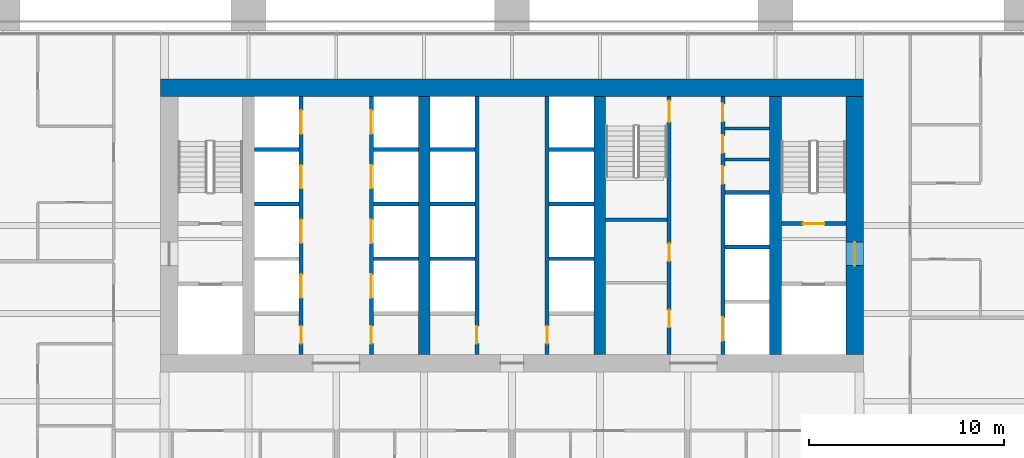
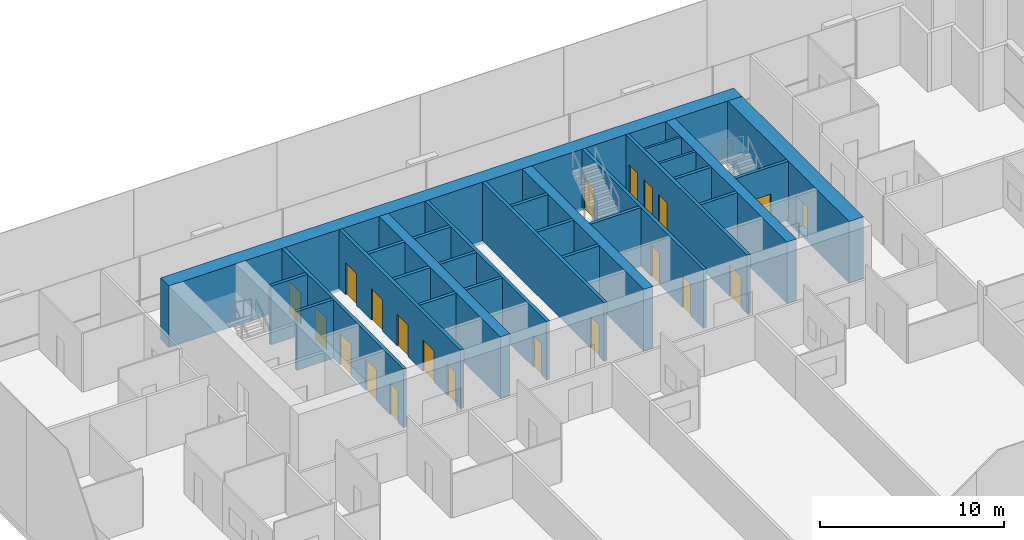
# One storey, part 14 of 18: 28 walls, 21 doors, 21 openings.
"""IFC4 building model written with IfcOpenShell, lengths in metres."""

from ifc_helpers import new_model, si_unit, direction, frame, frame_2d, origin, place, context, subcontext, project, spatial, rectangle, extrude, material, layer, layer_set, type_object, element, fill, save


model = new_model("IFC4")

# Units and contexts
model_context = context("Model", 3, precision=1e-05, world=origin(), true_north=direction((0.0, 1.0)))
body_context = subcontext(model_context, "Body", "Model", "MODEL_VIEW")
ifc_project = project(units=[si_unit("LENGTHUNIT", "METRE"), si_unit("AREAUNIT", "SQUARE_METRE"), si_unit("VOLUMEUNIT", "CUBIC_METRE"), si_unit("PLANEANGLEUNIT", "RADIAN"), si_unit("MASSUNIT", "GRAM", prefix="KILO")], contexts=[model_context])

# Site, building, storey
site_placement = place(None, origin())
site = spatial("IfcSite", under=ifc_project, at=site_placement, CompositionType="ELEMENT")
building_placement = place(site_placement, origin())
building = spatial("IfcBuilding", under=site, at=building_placement, Name="Rattan Terrace Tower", CompositionType="ELEMENT")
storey_placement = place(building_placement, frame((0.0, 0.0, 32.39990234375)))
storey = spatial("IfcBuildingStorey", under=building, at=storey_placement, Name="L06", CompositionType="ELEMENT", Elevation=32.39990234375)

# Walls
ifc_material_1 = material(Name="Gypsum board partition")
ifc_layer_1 = layer(ifc_material_1, 0.14990234375)
ifc_layer_set_1 = layer_set([ifc_layer_1], Name="Core partition 150")
wall_type_1 = type_object("IfcWallType", Name="Core partition 150", PredefinedType="PARTITIONING", material=ifc_layer_set_1)
for number, where, z_axis, x_axis, name in (
    (1, (10.89990234375, 3.384033203125, 0.0), (0.0, 0.0, 1.0), (1.0, 0.0, 0.0), "Riser room wall"),
    (2, (10.89990234375, 4.968017578125, 0.0), (0.0, 0.0, 1.0), (1.0, 0.0, 0.0), "Riser room wall"),
):
    element("IfcWall", number, at=place(storey_placement, frame(where, z_axis=z_axis, x_axis=x_axis)), inside=storey, type_object=wall_type_1, Name=name, PredefinedType="PARTITIONING", context=body_context, shape_type="SweptSolid", body=[
        extrude(rectangle(XDim=2.300048828125, YDim=0.14990234375, at=frame_2d((1.14990234375, 0.0))), origin(), (0.0, 0.0, 1.0), 3.900146484375),
    ])

# Wall, opening, door
ifc_material_2 = material(Name="Gypsum board partition")
ifc_layer_2 = layer(ifc_material_2, 0.199951171875)
ifc_layer_set_2 = layer_set([ifc_layer_2], Name="Core partition 200")
wall_type_2 = type_object("IfcWallType", Name="Core partition 200", PredefinedType="PARTITIONING", material=ifc_layer_set_2)
wall_1_placement = place(storey_placement, frame((13.800048828125, 0.10009765625, 0.0), z_axis=(0.0, 0.0, 1.0), x_axis=(1.0, 0.0, 0.0)))
wall_1 = element("IfcWall", 3, at=wall_1_placement, inside=storey, type_object=wall_type_2, Name="Stair enclosure wall", PredefinedType="PARTITIONING", context=body_context, shape_type="SweptSolid", body=[
    extrude(rectangle(XDim=3.300048828125, YDim=0.199951171875, at=frame_2d((1.64990234375, 0.0))), origin(), (0.0, 0.0, 1.0), 3.900146484375),
])
opening_1_placement = place(wall_1_placement, frame((1.10009765625, 0.0, 0.0)))
opening_1 = element("IfcOpeningElement", 4, at=opening_1_placement, cuts=wall_1, Name="Opening L06-D004", PredefinedType="OPENING", context=body_context, shape_type="SweptSolid", body=[
    extrude(rectangle(XDim=1.10009765625, YDim=2.10009765625, at=frame_2d((0.550048828125, 1.050048828125))), frame((0.0, 0.110595703125, 0.0), z_axis=(0.0, -1.0, 0.0), x_axis=(1.0, 0.0, 0.0)), (0.0, 0.0, 1.0), 0.220947265625),
])
ifc_material_3 = material(Name="Hollow-metal fire door leaf")
door_type_1 = type_object("IfcDoorType", Name="Core stair door 1100", OperationType="NOTDEFINED", PredefinedType="DOOR", material=ifc_material_3)
door_1_placement = place(opening_1_placement, origin())
door_1 = element("IfcDoor", 5, at=door_1_placement, inside=storey, type_object=door_type_1, Name="Door L06-D004", OperationType="SINGLE_SWING_LEFT", OverallHeight=2.10009765625, OverallWidth=1.10009765625, PredefinedType="DOOR", context=body_context, shape_type="SweptSolid", body=[
    extrude(rectangle(XDim=1.10009765625, YDim=2.10009765625, at=frame_2d((0.550048828125, 1.050048828125))), frame((0.0, 0.02490234375, 0.0), z_axis=(0.0, -1.0, 0.0), x_axis=(1.0, 0.0, 0.0)), (0.0, 0.0, 1.0), 0.050048828125),
])
fill(opening_1, door_1)

# Wall, openings, doors
wall_2_placement = place(storey_placement, frame((8.050048828125, -6.60009765625, 0.0), z_axis=(0.0, 0.0, 1.0), x_axis=(0.0, 1.0, 0.0)))
wall_2 = element("IfcWall", 6, at=wall_2_placement, inside=storey, type_object=wall_type_2, Name="Lobby wall west", PredefinedType="PARTITIONING", context=body_context, shape_type="SweptSolid", body=[
    extrude(rectangle(XDim=13.2001953125, YDim=0.199951171875, at=frame_2d((6.60009765625, 0.0))), origin(), (0.0, 0.0, 1.0), 3.900146484375),
])
opening_2_placement = place(wall_2_placement, frame((1.385986328125, 0.0, 0.0)))
opening_2 = element("IfcOpeningElement", 7, at=opening_2_placement, cuts=wall_2, Name="Opening L06-D011", PredefinedType="OPENING", context=body_context, shape_type="SweptSolid", body=[
    extrude(rectangle(XDim=0.89990234375, YDim=2.10009765625, at=frame_2d((0.449951171875, 1.050048828125))), frame((0.0, 0.110595703125, 0.0), z_axis=(0.0, -1.0, 0.0), x_axis=(1.0, 0.0, 0.0)), (0.0, 0.0, 1.0), 0.220947265625),
])
opening_3_placement = place(wall_2_placement, frame((4.785888671875, 0.0, 0.0)))
opening_3 = element("IfcOpeningElement", 8, at=opening_3_placement, cuts=wall_2, Name="Opening L06-D012", PredefinedType="OPENING", context=body_context, shape_type="SweptSolid", body=[
    extrude(rectangle(XDim=0.89990234375, YDim=2.10009765625, at=frame_2d((0.449951171875, 1.050048828125))), frame((0.0, 0.110595703125, 0.0), z_axis=(0.0, -1.0, 0.0), x_axis=(1.0, 0.0, 0.0)), (0.0, 0.0, 1.0), 0.220947265625),
])
opening_4_placement = place(wall_2_placement, frame((11.89990234375, 0.0, 0.0)))
opening_4 = element("IfcOpeningElement", 9, at=opening_4_placement, cuts=wall_2, Name="Opening L06-D013", PredefinedType="OPENING", context=body_context, shape_type="SweptSolid", body=[
    extrude(rectangle(XDim=1.10009765625, YDim=2.10009765625, at=frame_2d((0.550048828125, 1.050048828125))), frame((0.0, 0.110595703125, 0.0), z_axis=(0.0, -1.0, 0.0), x_axis=(1.0, 0.0, 0.0)), (0.0, 0.0, 1.0), 0.220947265625),
])
door_2_placement = place(opening_4_placement, origin())
door_2 = element("IfcDoor", 10, at=door_2_placement, inside=storey, type_object=door_type_1, Name="Door L06-D013", OperationType="SINGLE_SWING_LEFT", OverallHeight=2.10009765625, OverallWidth=1.10009765625, PredefinedType="DOOR", context=body_context, shape_type="SweptSolid", body=[
    extrude(rectangle(XDim=1.10009765625, YDim=2.10009765625, at=frame_2d((0.550048828125, 1.050048828125))), frame((0.0, 0.02490234375, 0.0), z_axis=(0.0, -1.0, 0.0), x_axis=(1.0, 0.0, 0.0)), (0.0, 0.0, 1.0), 0.050048828125),
])
fill(opening_4, door_2)
ifc_material_4 = material(Name="Hollow-metal fire door leaf")
door_type_2 = type_object("IfcDoorType", Name="Core toilet door 900", OperationType="NOTDEFINED", PredefinedType="DOOR", material=ifc_material_4)
door_3_placement = place(opening_2_placement, origin())
door_3 = element("IfcDoor", 11, at=door_3_placement, inside=storey, type_object=door_type_2, Name="Door L06-D011", OperationType="SINGLE_SWING_LEFT", OverallHeight=2.10009765625, OverallWidth=0.89990234375, PredefinedType="DOOR", context=body_context, shape_type="SweptSolid", body=[
    extrude(rectangle(XDim=0.89990234375, YDim=2.10009765625, at=frame_2d((0.449951171875, 1.050048828125))), frame((0.0, 0.02490234375, 0.0), z_axis=(0.0, -1.0, 0.0), x_axis=(1.0, 0.0, 0.0)), (0.0, 0.0, 1.0), 0.050048828125),
])
fill(opening_2, door_3)
door_4_placement = place(opening_3_placement, origin())
door_4 = element("IfcDoor", 12, at=door_4_placement, inside=storey, type_object=door_type_2, Name="Door L06-D012", OperationType="SINGLE_SWING_RIGHT", OverallHeight=2.10009765625, OverallWidth=0.89990234375, PredefinedType="DOOR", context=body_context, shape_type="SweptSolid", body=[
    extrude(rectangle(XDim=0.89990234375, YDim=2.10009765625, at=frame_2d((0.449951171875, 1.050048828125))), frame((0.0, 0.02490234375, 0.0), z_axis=(0.0, -1.0, 0.0), x_axis=(1.0, 0.0, 0.0)), (0.0, 0.0, 1.0), 0.050048828125),
])
fill(opening_3, door_4)

# Walls
wall_3_placement = place(storey_placement, frame((4.800048828125, 0.300048828125, 0.0), z_axis=(0.0, 0.0, 1.0), x_axis=(1.0, 0.0, 0.0)))
element("IfcWall", 13, at=wall_3_placement, inside=storey, type_object=wall_type_2, Name="Stair enclosure wall", PredefinedType="PARTITIONING", context=body_context, shape_type="SweptSolid", body=[
    extrude(rectangle(XDim=3.14990234375, YDim=0.199951171875, at=frame_2d((1.574951171875, 0.0))), origin(), (0.0, 0.0, 1.0), 3.900146484375),
])
ifc_material_5 = material(Name="Concrete C70/85", Category="concrete")
ifc_layer_3 = layer(ifc_material_5, 0.89990234375)
ifc_layer_set_3 = layer_set([ifc_layer_3], Name="Core ring wall 900 C70/85")
wall_type_3 = type_object("IfcWallType", Name="Core ring wall 900 C70/85", PredefinedType="SHEAR", material=ifc_layer_set_3)
wall_4_placement = place(storey_placement, frame((-18.0, 7.050048828125, -0.199951171875), z_axis=(0.0, 0.0, 1.0), x_axis=(1.0, 0.0, 0.0)))
element("IfcWall", 14, at=wall_4_placement, inside=storey, type_object=wall_type_3, Name="Rear core wall north", PredefinedType="SHEAR", context=body_context, shape_type="SweptSolid", body=[
    extrude(rectangle(XDim=36.0, YDim=0.89990234375, at=frame_2d((18.0, 0.0))), origin(), (0.0, 0.0, 1.0), 4.10009765625),
])

# Wall, opening, door
wall_5_placement = place(storey_placement, frame((17.550048828125, -6.60009765625, -0.199951171875), z_axis=(0.0, 0.0, 1.0), x_axis=(0.0, 1.0, 0.0)))
wall_5 = element("IfcWall", 15, at=wall_5_placement, inside=storey, type_object=wall_type_3, Name="Rear core wall east", PredefinedType="SHEAR", context=body_context, shape_type="SweptSolid", body=[
    extrude(rectangle(XDim=13.2001953125, YDim=0.89990234375, at=frame_2d((6.60009765625, 0.0))), origin(), (0.0, 0.0, 1.0), 4.10009765625),
])
opening_5_placement = place(wall_5_placement, frame((4.550048828125, 0.0, 0.199951171875)))
opening_5 = element("IfcOpeningElement", 16, at=opening_5_placement, cuts=wall_5, Name="Opening L06-D003", PredefinedType="OPENING", context=body_context, shape_type="SweptSolid", body=[
    extrude(rectangle(XDim=1.199951171875, YDim=2.10009765625, at=frame_2d((0.60009765625, 1.050048828125))), frame((0.0, 0.46044921875, 0.0), z_axis=(0.0, -1.0, 0.0), x_axis=(1.0, 0.0, 0.0)), (0.0, 0.0, 1.0), 0.9208984375),
])
ifc_material_6 = material(Name="Hollow-metal fire door leaf")
door_type_3 = type_object("IfcDoorType", Name="Core fire-fighting lobby door 1200", OperationType="NOTDEFINED", PredefinedType="DOOR", material=ifc_material_6)
door_5_placement = place(opening_5_placement, origin())
door_5 = element("IfcDoor", 17, at=door_5_placement, inside=storey, type_object=door_type_3, Name="Door L06-D003", OperationType="SINGLE_SWING_RIGHT", OverallHeight=2.10009765625, OverallWidth=1.199951171875, PredefinedType="DOOR", context=body_context, shape_type="SweptSolid", body=[
    extrude(rectangle(XDim=1.199951171875, YDim=2.10009765625, at=frame_2d((0.60009765625, 1.050048828125))), frame((0.0, 0.02490234375, 0.0), z_axis=(0.0, -1.0, 0.0), x_axis=(1.0, 0.0, 0.0)), (0.0, 0.0, 1.0), 0.050048828125),
])
fill(opening_5, door_5)

# Walls
ifc_material_7 = material(Name="Concrete C70/85", Category="concrete")
ifc_layer_4 = layer(ifc_material_7, 0.60009765625)
ifc_layer_set_4 = layer_set([ifc_layer_4], Name="Core spine wall 600 C70/85")
wall_type_4 = type_object("IfcWallType", Name="Core spine wall 600 C70/85", PredefinedType="SHEAR", material=ifc_layer_set_4)
for number, where, z_axis, x_axis, name in (
    (18, (-4.5, -6.60009765625, -0.199951171875), (0.0, 0.0, 1.0), (0.0, 1.0, 0.0), "Core spine wall 2"),
    (19, (4.5, -6.60009765625, -0.199951171875), (0.0, 0.0, 1.0), (0.0, 1.0, 0.0), "Core spine wall 3"),
    (20, (13.5, -6.60009765625, -0.199951171875), (0.0, 0.0, 1.0), (0.0, 1.0, 0.0), "Core spine wall 4"),
):
    element("IfcWall", number, at=place(storey_placement, frame(where, z_axis=z_axis, x_axis=x_axis)), inside=storey, type_object=wall_type_4, Name=name, PredefinedType="SHEAR", context=body_context, shape_type="SweptSolid", body=[
        extrude(rectangle(XDim=13.2001953125, YDim=0.60009765625, at=frame_2d((6.60009765625, 0.0))), origin(), (0.0, 0.0, 1.0), 4.10009765625),
    ])

# Wall, openings, doors
ifc_material_8 = material(Name="Gypsum shaft wall system")
ifc_layer_5 = layer(ifc_material_8, 0.199951171875)
ifc_layer_set_5 = layer_set([ifc_layer_5], Name="Lift shaft wall 200")
wall_type_5 = type_object("IfcWallType", Name="Lift shaft wall 200", PredefinedType="PARTITIONING", material=ifc_layer_set_5)
wall_6_placement = place(storey_placement, frame((-10.800048828125, -6.60009765625, 0.0), z_axis=(0.0, 0.0, 1.0), x_axis=(0.0, 1.0, 0.0)))
wall_6 = element("IfcWall", 21, at=wall_6_placement, inside=storey, type_object=wall_type_5, Name="Lift shaft front wall", PredefinedType="PARTITIONING", context=body_context, shape_type="SweptSolid", body=[
    extrude(rectangle(XDim=13.2001953125, YDim=0.199951171875, at=frame_2d((6.60009765625, 0.0))), origin(), (0.0, 0.0, 1.0), 3.900146484375),
])
opening_6_placement = place(wall_6_placement, frame((0.550048828125, 0.0, 0.0)))
opening_6 = element("IfcOpeningElement", 22, at=opening_6_placement, cuts=wall_6, Name="Opening L06-D005", PredefinedType="OPENING", context=body_context, shape_type="SweptSolid", body=[
    extrude(rectangle(XDim=0.89990234375, YDim=2.10009765625, at=frame_2d((0.449951171875, 1.050048828125))), frame((0.0, 0.110595703125, 0.0), z_axis=(0.0, -1.0, 0.0), x_axis=(1.0, 0.0, 0.0)), (0.0, 0.0, 1.0), 0.220947265625),
])
opening_7_placement = place(wall_6_placement, frame((2.89990234375, 0.0, 0.0)))
opening_7 = element("IfcOpeningElement", 23, at=opening_7_placement, cuts=wall_6, Name="Opening L06-LD-LR1", PredefinedType="OPENING", context=body_context, shape_type="SweptSolid", body=[
    extrude(rectangle(XDim=1.199951171875, YDim=2.10009765625, at=frame_2d((0.60009765625, 1.050048828125))), frame((0.0, 0.110595703125, 0.0), z_axis=(0.0, -1.0, 0.0), x_axis=(1.0, 0.0, 0.0)), (0.0, 0.0, 1.0), 0.220947265625),
])
opening_8_placement = place(wall_6_placement, frame((5.699951171875, 0.0, 0.0)))
opening_8 = element("IfcOpeningElement", 24, at=opening_8_placement, cuts=wall_6, Name="Opening L06-LD-LR2", PredefinedType="OPENING", context=body_context, shape_type="SweptSolid", body=[
    extrude(rectangle(XDim=1.199951171875, YDim=2.10009765625, at=frame_2d((0.60009765625, 1.050048828125))), frame((0.0, 0.110595703125, 0.0), z_axis=(0.0, -1.0, 0.0), x_axis=(1.0, 0.0, 0.0)), (0.0, 0.0, 1.0), 0.220947265625),
])
opening_9_placement = place(wall_6_placement, frame((8.5, 0.0, 0.0)))
opening_9 = element("IfcOpeningElement", 25, at=opening_9_placement, cuts=wall_6, Name="Opening L06-LD-LR3", PredefinedType="OPENING", context=body_context, shape_type="SweptSolid", body=[
    extrude(rectangle(XDim=1.199951171875, YDim=2.10009765625, at=frame_2d((0.60009765625, 1.050048828125))), frame((0.0, 0.110595703125, 0.0), z_axis=(0.0, -1.0, 0.0), x_axis=(1.0, 0.0, 0.0)), (0.0, 0.0, 1.0), 0.220947265625),
])
opening_10_placement = place(wall_6_placement, frame((11.300048828125, 0.0, 0.0)))
opening_10 = element("IfcOpeningElement", 26, at=opening_10_placement, cuts=wall_6, Name="Opening L06-LD-LR4", PredefinedType="OPENING", context=body_context, shape_type="SweptSolid", body=[
    extrude(rectangle(XDim=1.199951171875, YDim=2.10009765625, at=frame_2d((0.60009765625, 1.050048828125))), frame((0.0, 0.110595703125, 0.0), z_axis=(0.0, -1.0, 0.0), x_axis=(1.0, 0.0, 0.0)), (0.0, 0.0, 1.0), 0.220947265625),
])
ifc_material_9 = material(Name="Brushed stainless landing door panel")
door_type_4 = type_object("IfcDoorType", Name="Core lift landing door 1200", OperationType="DOUBLE_DOOR_SLIDING", PredefinedType="DOOR", material=ifc_material_9)
door_6_placement = place(opening_7_placement, origin())
door_6 = element("IfcDoor", 27, at=door_6_placement, inside=storey, type_object=door_type_4, Name="Door L06-LD-LR1", OperationType="DOUBLE_DOOR_SLIDING", OverallHeight=2.10009765625, OverallWidth=1.199951171875, PredefinedType="DOOR", context=body_context, shape_type="SweptSolid", body=[
    extrude(rectangle(XDim=1.199951171875, YDim=2.10009765625, at=frame_2d((0.60009765625, 1.050048828125))), frame((0.0, 0.02490234375, 0.0), z_axis=(0.0, -1.0, 0.0), x_axis=(1.0, 0.0, 0.0)), (0.0, 0.0, 1.0), 0.050048828125),
])
fill(opening_7, door_6)
door_7_placement = place(opening_8_placement, origin())
door_7 = element("IfcDoor", 28, at=door_7_placement, inside=storey, type_object=door_type_4, Name="Door L06-LD-LR2", OperationType="DOUBLE_DOOR_SLIDING", OverallHeight=2.10009765625, OverallWidth=1.199951171875, PredefinedType="DOOR", context=body_context, shape_type="SweptSolid", body=[
    extrude(rectangle(XDim=1.199951171875, YDim=2.10009765625, at=frame_2d((0.60009765625, 1.050048828125))), frame((0.0, 0.02490234375, 0.0), z_axis=(0.0, -1.0, 0.0), x_axis=(1.0, 0.0, 0.0)), (0.0, 0.0, 1.0), 0.050048828125),
])
fill(opening_8, door_7)
door_8_placement = place(opening_9_placement, origin())
door_8 = element("IfcDoor", 29, at=door_8_placement, inside=storey, type_object=door_type_4, Name="Door L06-LD-LR3", OperationType="DOUBLE_DOOR_SLIDING", OverallHeight=2.10009765625, OverallWidth=1.199951171875, PredefinedType="DOOR", context=body_context, shape_type="SweptSolid", body=[
    extrude(rectangle(XDim=1.199951171875, YDim=2.10009765625, at=frame_2d((0.60009765625, 1.050048828125))), frame((0.0, 0.02490234375, 0.0), z_axis=(0.0, -1.0, 0.0), x_axis=(1.0, 0.0, 0.0)), (0.0, 0.0, 1.0), 0.050048828125),
])
fill(opening_9, door_8)
door_9_placement = place(opening_10_placement, origin())
door_9 = element("IfcDoor", 30, at=door_9_placement, inside=storey, type_object=door_type_4, Name="Door L06-LD-LR4", OperationType="DOUBLE_DOOR_SLIDING", OverallHeight=2.10009765625, OverallWidth=1.199951171875, PredefinedType="DOOR", context=body_context, shape_type="SweptSolid", body=[
    extrude(rectangle(XDim=1.199951171875, YDim=2.10009765625, at=frame_2d((0.60009765625, 1.050048828125))), frame((0.0, 0.02490234375, 0.0), z_axis=(0.0, -1.0, 0.0), x_axis=(1.0, 0.0, 0.0)), (0.0, 0.0, 1.0), 0.050048828125),
])
fill(opening_10, door_9)
ifc_material_10 = material(Name="Hollow-metal fire door leaf")
door_type_5 = type_object("IfcDoorType", Name="Core riser door 900", OperationType="NOTDEFINED", PredefinedType="DOOR", material=ifc_material_10)
door_10_placement = place(opening_6_placement, origin())
door_10 = element("IfcDoor", 31, at=door_10_placement, inside=storey, type_object=door_type_5, Name="Door L06-D005", OperationType="SINGLE_SWING_RIGHT", OverallHeight=2.10009765625, OverallWidth=0.89990234375, PredefinedType="DOOR", context=body_context, shape_type="SweptSolid", body=[
    extrude(rectangle(XDim=0.89990234375, YDim=2.10009765625, at=frame_2d((0.449951171875, 1.050048828125))), frame((0.0, 0.02490234375, 0.0), z_axis=(0.0, -1.0, 0.0), x_axis=(1.0, 0.0, 0.0)), (0.0, 0.0, 1.0), 0.050048828125),
])
fill(opening_6, door_10)

wall_7_placement = place(storey_placement, frame((-7.199951171875, -6.60009765625, 0.0), z_axis=(0.0, 0.0, 1.0), x_axis=(0.0, 1.0, 0.0)))
wall_7 = element("IfcWall", 32, at=wall_7_placement, inside=storey, type_object=wall_type_5, Name="Lift shaft front wall", PredefinedType="PARTITIONING", context=body_context, shape_type="SweptSolid", body=[
    extrude(rectangle(XDim=13.2001953125, YDim=0.199951171875, at=frame_2d((6.60009765625, 0.0))), origin(), (0.0, 0.0, 1.0), 3.900146484375),
])
opening_11_placement = place(wall_7_placement, frame((0.550048828125, 0.0, 0.0)))
opening_11 = element("IfcOpeningElement", 33, at=opening_11_placement, cuts=wall_7, Name="Opening L06-D006", PredefinedType="OPENING", context=body_context, shape_type="SweptSolid", body=[
    extrude(rectangle(XDim=0.89990234375, YDim=2.10009765625, at=frame_2d((0.449951171875, 1.050048828125))), frame((0.0, 0.110595703125, 0.0), z_axis=(0.0, -1.0, 0.0), x_axis=(1.0, 0.0, 0.0)), (0.0, 0.0, 1.0), 0.220947265625),
])
opening_12_placement = place(wall_7_placement, frame((2.89990234375, 0.0, 0.0)))
opening_12 = element("IfcOpeningElement", 34, at=opening_12_placement, cuts=wall_7, Name="Opening L06-LD-LR5", PredefinedType="OPENING", context=body_context, shape_type="SweptSolid", body=[
    extrude(rectangle(XDim=1.199951171875, YDim=2.10009765625, at=frame_2d((0.60009765625, 1.050048828125))), frame((0.0, 0.110595703125, 0.0), z_axis=(0.0, -1.0, 0.0), x_axis=(1.0, 0.0, 0.0)), (0.0, 0.0, 1.0), 0.220947265625),
])
opening_13_placement = place(wall_7_placement, frame((5.699951171875, 0.0, 0.0)))
opening_13 = element("IfcOpeningElement", 35, at=opening_13_placement, cuts=wall_7, Name="Opening L06-LD-LR6", PredefinedType="OPENING", context=body_context, shape_type="SweptSolid", body=[
    extrude(rectangle(XDim=1.199951171875, YDim=2.10009765625, at=frame_2d((0.60009765625, 1.050048828125))), frame((0.0, 0.110595703125, 0.0), z_axis=(0.0, -1.0, 0.0), x_axis=(1.0, 0.0, 0.0)), (0.0, 0.0, 1.0), 0.220947265625),
])
opening_14_placement = place(wall_7_placement, frame((8.5, 0.0, 0.0)))
opening_14 = element("IfcOpeningElement", 36, at=opening_14_placement, cuts=wall_7, Name="Opening L06-LD-LR7", PredefinedType="OPENING", context=body_context, shape_type="SweptSolid", body=[
    extrude(rectangle(XDim=1.199951171875, YDim=2.10009765625, at=frame_2d((0.60009765625, 1.050048828125))), frame((0.0, 0.110595703125, 0.0), z_axis=(0.0, -1.0, 0.0), x_axis=(1.0, 0.0, 0.0)), (0.0, 0.0, 1.0), 0.220947265625),
])
opening_15_placement = place(wall_7_placement, frame((11.300048828125, 0.0, 0.0)))
opening_15 = element("IfcOpeningElement", 37, at=opening_15_placement, cuts=wall_7, Name="Opening L06-LD-LR8", PredefinedType="OPENING", context=body_context, shape_type="SweptSolid", body=[
    extrude(rectangle(XDim=1.199951171875, YDim=2.10009765625, at=frame_2d((0.60009765625, 1.050048828125))), frame((0.0, 0.110595703125, 0.0), z_axis=(0.0, -1.0, 0.0), x_axis=(1.0, 0.0, 0.0)), (0.0, 0.0, 1.0), 0.220947265625),
])
door_11_placement = place(opening_12_placement, origin())
door_11 = element("IfcDoor", 38, at=door_11_placement, inside=storey, type_object=door_type_4, Name="Door L06-LD-LR5", OperationType="DOUBLE_DOOR_SLIDING", OverallHeight=2.10009765625, OverallWidth=1.199951171875, PredefinedType="DOOR", context=body_context, shape_type="SweptSolid", body=[
    extrude(rectangle(XDim=1.199951171875, YDim=2.10009765625, at=frame_2d((0.60009765625, 1.050048828125))), frame((0.0, 0.02490234375, 0.0), z_axis=(0.0, -1.0, 0.0), x_axis=(1.0, 0.0, 0.0)), (0.0, 0.0, 1.0), 0.050048828125),
])
fill(opening_12, door_11)
door_12_placement = place(opening_13_placement, origin())
door_12 = element("IfcDoor", 39, at=door_12_placement, inside=storey, type_object=door_type_4, Name="Door L06-LD-LR6", OperationType="DOUBLE_DOOR_SLIDING", OverallHeight=2.10009765625, OverallWidth=1.199951171875, PredefinedType="DOOR", context=body_context, shape_type="SweptSolid", body=[
    extrude(rectangle(XDim=1.199951171875, YDim=2.10009765625, at=frame_2d((0.60009765625, 1.050048828125))), frame((0.0, 0.02490234375, 0.0), z_axis=(0.0, -1.0, 0.0), x_axis=(1.0, 0.0, 0.0)), (0.0, 0.0, 1.0), 0.050048828125),
])
fill(opening_13, door_12)
door_13_placement = place(opening_14_placement, origin())
door_13 = element("IfcDoor", 40, at=door_13_placement, inside=storey, type_object=door_type_4, Name="Door L06-LD-LR7", OperationType="DOUBLE_DOOR_SLIDING", OverallHeight=2.10009765625, OverallWidth=1.199951171875, PredefinedType="DOOR", context=body_context, shape_type="SweptSolid", body=[
    extrude(rectangle(XDim=1.199951171875, YDim=2.10009765625, at=frame_2d((0.60009765625, 1.050048828125))), frame((0.0, 0.02490234375, 0.0), z_axis=(0.0, -1.0, 0.0), x_axis=(1.0, 0.0, 0.0)), (0.0, 0.0, 1.0), 0.050048828125),
])
fill(opening_14, door_13)
door_14_placement = place(opening_15_placement, origin())
door_14 = element("IfcDoor", 41, at=door_14_placement, inside=storey, type_object=door_type_4, Name="Door L06-LD-LR8", OperationType="DOUBLE_DOOR_SLIDING", OverallHeight=2.10009765625, OverallWidth=1.199951171875, PredefinedType="DOOR", context=body_context, shape_type="SweptSolid", body=[
    extrude(rectangle(XDim=1.199951171875, YDim=2.10009765625, at=frame_2d((0.60009765625, 1.050048828125))), frame((0.0, 0.02490234375, 0.0), z_axis=(0.0, -1.0, 0.0), x_axis=(1.0, 0.0, 0.0)), (0.0, 0.0, 1.0), 0.050048828125),
])
fill(opening_15, door_14)
door_15_placement = place(opening_11_placement, origin())
door_15 = element("IfcDoor", 42, at=door_15_placement, inside=storey, type_object=door_type_5, Name="Door L06-D006", OperationType="SINGLE_SWING_LEFT", OverallHeight=2.10009765625, OverallWidth=0.89990234375, PredefinedType="DOOR", context=body_context, shape_type="SweptSolid", body=[
    extrude(rectangle(XDim=0.89990234375, YDim=2.10009765625, at=frame_2d((0.449951171875, 1.050048828125))), frame((0.0, 0.02490234375, 0.0), z_axis=(0.0, -1.0, 0.0), x_axis=(1.0, 0.0, 0.0)), (0.0, 0.0, 1.0), 0.050048828125),
])
fill(opening_11, door_15)

# Walls
for number, where, z_axis, x_axis, name in (
    (43, (-13.199951171875, 1.10009765625, 0.0), (0.0, 0.0, 1.0), (1.0, 0.0, 0.0), "Lift shaft wall"),
    (44, (-13.199951171875, 3.89990234375, 0.0), (0.0, 0.0, 1.0), (1.0, 0.0, 0.0), "Lift shaft wall"),
    (45, (-7.10009765625, -1.699951171875, 0.0), (0.0, 0.0, 1.0), (1.0, 0.0, 0.0), "Lift shaft wall"),
    (46, (-7.10009765625, 1.10009765625, 0.0), (0.0, 0.0, 1.0), (1.0, 0.0, 0.0), "Lift shaft wall"),
    (47, (-7.10009765625, 3.89990234375, 0.0), (0.0, 0.0, 1.0), (1.0, 0.0, 0.0), "Lift shaft wall"),
):
    element("IfcWall", number, at=place(storey_placement, frame(where, z_axis=z_axis, x_axis=x_axis)), inside=storey, type_object=wall_type_5, Name=name, PredefinedType="PARTITIONING", context=body_context, shape_type="SweptSolid", body=[
        extrude(rectangle(XDim=2.300048828125, YDim=0.199951171875, at=frame_2d((1.14990234375, 0.0))), origin(), (0.0, 0.0, 1.0), 3.900146484375),
    ])

# Wall, opening, door
wall_8_placement = place(storey_placement, frame((-1.800048828125, -6.60009765625, 0.0), z_axis=(0.0, 0.0, 1.0), x_axis=(0.0, 1.0, 0.0)))
wall_8 = element("IfcWall", 48, at=wall_8_placement, inside=storey, type_object=wall_type_5, Name="Lift shaft front wall", PredefinedType="PARTITIONING", context=body_context, shape_type="SweptSolid", body=[
    extrude(rectangle(XDim=13.2001953125, YDim=0.199951171875, at=frame_2d((6.60009765625, 0.0))), origin(), (0.0, 0.0, 1.0), 3.900146484375),
])
opening_16_placement = place(wall_8_placement, frame((0.550048828125, 0.0, 0.0)))
opening_16 = element("IfcOpeningElement", 49, at=opening_16_placement, cuts=wall_8, Name="Opening L06-D008", PredefinedType="OPENING", context=body_context, shape_type="SweptSolid", body=[
    extrude(rectangle(XDim=0.89990234375, YDim=2.10009765625, at=frame_2d((0.449951171875, 1.050048828125))), frame((0.0, 0.110595703125, 0.0), z_axis=(0.0, -1.0, 0.0), x_axis=(1.0, 0.0, 0.0)), (0.0, 0.0, 1.0), 0.220947265625),
])
door_16_placement = place(opening_16_placement, origin())
door_16 = element("IfcDoor", 50, at=door_16_placement, inside=storey, type_object=door_type_5, Name="Door L06-D008", OperationType="SINGLE_SWING_RIGHT", OverallHeight=2.10009765625, OverallWidth=0.89990234375, PredefinedType="DOOR", context=body_context, shape_type="SweptSolid", body=[
    extrude(rectangle(XDim=0.89990234375, YDim=2.10009765625, at=frame_2d((0.449951171875, 1.050048828125))), frame((0.0, 0.02490234375, 0.0), z_axis=(0.0, -1.0, 0.0), x_axis=(1.0, 0.0, 0.0)), (0.0, 0.0, 1.0), 0.050048828125),
])
fill(opening_16, door_16)

wall_9_placement = place(storey_placement, frame((1.800048828125, -6.60009765625, 0.0), z_axis=(0.0, 0.0, 1.0), x_axis=(0.0, 1.0, 0.0)))
wall_9 = element("IfcWall", 51, at=wall_9_placement, inside=storey, type_object=wall_type_5, Name="Lift shaft front wall", PredefinedType="PARTITIONING", context=body_context, shape_type="SweptSolid", body=[
    extrude(rectangle(XDim=13.2001953125, YDim=0.199951171875, at=frame_2d((6.60009765625, 0.0))), origin(), (0.0, 0.0, 1.0), 3.900146484375),
])
opening_17_placement = place(wall_9_placement, frame((0.550048828125, 0.0, 0.0)))
opening_17 = element("IfcOpeningElement", 52, at=opening_17_placement, cuts=wall_9, Name="Opening L06-D009", PredefinedType="OPENING", context=body_context, shape_type="SweptSolid", body=[
    extrude(rectangle(XDim=0.89990234375, YDim=2.10009765625, at=frame_2d((0.449951171875, 1.050048828125))), frame((0.0, 0.110595703125, 0.0), z_axis=(0.0, -1.0, 0.0), x_axis=(1.0, 0.0, 0.0)), (0.0, 0.0, 1.0), 0.220947265625),
])
door_17_placement = place(opening_17_placement, origin())
door_17 = element("IfcDoor", 53, at=door_17_placement, inside=storey, type_object=door_type_5, Name="Door L06-D009", OperationType="SINGLE_SWING_LEFT", OverallHeight=2.10009765625, OverallWidth=0.89990234375, PredefinedType="DOOR", context=body_context, shape_type="SweptSolid", body=[
    extrude(rectangle(XDim=0.89990234375, YDim=2.10009765625, at=frame_2d((0.449951171875, 1.050048828125))), frame((0.0, 0.02490234375, 0.0), z_axis=(0.0, -1.0, 0.0), x_axis=(1.0, 0.0, 0.0)), (0.0, 0.0, 1.0), 0.050048828125),
])
fill(opening_17, door_17)

# Walls
for number, where, z_axis, x_axis, name in (
    (54, (-4.199951171875, -1.699951171875, 0.0), (0.0, 0.0, 1.0), (1.0, 0.0, 0.0), "Lift shaft wall"),
    (55, (-4.199951171875, 1.10009765625, 0.0), (0.0, 0.0, 1.0), (1.0, 0.0, 0.0), "Lift shaft wall"),
    (56, (-4.199951171875, 3.89990234375, 0.0), (0.0, 0.0, 1.0), (1.0, 0.0, 0.0), "Lift shaft wall"),
    (57, (1.89990234375, -1.699951171875, 0.0), (0.0, 0.0, 1.0), (1.0, 0.0, 0.0), "Lift shaft wall"),
    (58, (1.89990234375, 1.10009765625, 0.0), (0.0, 0.0, 1.0), (1.0, 0.0, 0.0), "Lift shaft wall"),
    (59, (1.89990234375, 3.89990234375, 0.0), (0.0, 0.0, 1.0), (1.0, 0.0, 0.0), "Lift shaft wall"),
):
    element("IfcWall", number, at=place(storey_placement, frame(where, z_axis=z_axis, x_axis=x_axis)), inside=storey, type_object=wall_type_5, Name=name, PredefinedType="PARTITIONING", context=body_context, shape_type="SweptSolid", body=[
        extrude(rectangle(XDim=2.300048828125, YDim=0.199951171875, at=frame_2d((1.14990234375, 0.0))), origin(), (0.0, 0.0, 1.0), 3.900146484375),
    ])

# Wall, openings, doors
wall_10_placement = place(storey_placement, frame((10.800048828125, -6.60009765625, 0.0), z_axis=(0.0, 0.0, 1.0), x_axis=(0.0, 1.0, 0.0)))
wall_10 = element("IfcWall", 60, at=wall_10_placement, inside=storey, type_object=wall_type_5, Name="Lift shaft front wall", PredefinedType="PARTITIONING", context=body_context, shape_type="SweptSolid", body=[
    extrude(rectangle(XDim=13.2001953125, YDim=0.199951171875, at=frame_2d((6.60009765625, 0.0))), origin(), (0.0, 0.0, 1.0), 3.900146484375),
])
opening_18_placement = place(wall_10_placement, frame((0.699951171875, 0.0, 0.0)))
opening_18 = element("IfcOpeningElement", 61, at=opening_18_placement, cuts=wall_10, Name="Opening L06-LD-SV1", PredefinedType="OPENING", context=body_context, shape_type="SweptSolid", body=[
    extrude(rectangle(XDim=1.199951171875, YDim=2.10009765625, at=frame_2d((0.60009765625, 1.050048828125))), frame((0.0, 0.110595703125, 0.0), z_axis=(0.0, -1.0, 0.0), x_axis=(1.0, 0.0, 0.0)), (0.0, 0.0, 1.0), 0.220947265625),
])
opening_19_placement = place(wall_10_placement, frame((8.741943359375, 0.0, 0.0)))
opening_19 = element("IfcOpeningElement", 62, at=opening_19_placement, cuts=wall_10, Name="Opening L06-D015", PredefinedType="OPENING", context=body_context, shape_type="SweptSolid", body=[
    extrude(rectangle(XDim=0.89990234375, YDim=2.10009765625, at=frame_2d((0.449951171875, 1.050048828125))), frame((0.0, 0.110595703125, 0.0), z_axis=(0.0, -1.0, 0.0), x_axis=(1.0, 0.0, 0.0)), (0.0, 0.0, 1.0), 0.220947265625),
])
opening_20_placement = place(wall_10_placement, frame((10.325927734375, 0.0, 0.0)))
opening_20 = element("IfcOpeningElement", 63, at=opening_20_placement, cuts=wall_10, Name="Opening L06-D016", PredefinedType="OPENING", context=body_context, shape_type="SweptSolid", body=[
    extrude(rectangle(XDim=0.89990234375, YDim=2.10009765625, at=frame_2d((0.449951171875, 1.050048828125))), frame((0.0, 0.110595703125, 0.0), z_axis=(0.0, -1.0, 0.0), x_axis=(1.0, 0.0, 0.0)), (0.0, 0.0, 1.0), 0.220947265625),
])
opening_21_placement = place(wall_10_placement, frame((11.93408203125, 0.0, 0.0)))
opening_21 = element("IfcOpeningElement", 64, at=opening_21_placement, cuts=wall_10, Name="Opening L06-D017", PredefinedType="OPENING", context=body_context, shape_type="SweptSolid", body=[
    extrude(rectangle(XDim=0.89990234375, YDim=2.10009765625, at=frame_2d((0.449951171875, 1.050048828125))), frame((0.0, 0.110595703125, 0.0), z_axis=(0.0, -1.0, 0.0), x_axis=(1.0, 0.0, 0.0)), (0.0, 0.0, 1.0), 0.220947265625),
])
door_18_placement = place(opening_18_placement, origin())
door_18 = element("IfcDoor", 65, at=door_18_placement, inside=storey, type_object=door_type_4, Name="Door L06-LD-SV1", OperationType="DOUBLE_DOOR_SLIDING", OverallHeight=2.10009765625, OverallWidth=1.199951171875, PredefinedType="DOOR", context=body_context, shape_type="SweptSolid", body=[
    extrude(rectangle(XDim=1.199951171875, YDim=2.10009765625, at=frame_2d((0.60009765625, 1.050048828125))), frame((0.0, 0.02490234375, 0.0), z_axis=(0.0, -1.0, 0.0), x_axis=(1.0, 0.0, 0.0)), (0.0, 0.0, 1.0), 0.050048828125),
])
fill(opening_18, door_18)
door_19_placement = place(opening_19_placement, origin())
door_19 = element("IfcDoor", 66, at=door_19_placement, inside=storey, type_object=door_type_5, Name="Door L06-D015", OperationType="SINGLE_SWING_RIGHT", OverallHeight=2.10009765625, OverallWidth=0.89990234375, PredefinedType="DOOR", context=body_context, shape_type="SweptSolid", body=[
    extrude(rectangle(XDim=0.89990234375, YDim=2.10009765625, at=frame_2d((0.449951171875, 1.050048828125))), frame((0.0, 0.02490234375, 0.0), z_axis=(0.0, -1.0, 0.0), x_axis=(1.0, 0.0, 0.0)), (0.0, 0.0, 1.0), 0.050048828125),
])
fill(opening_19, door_19)
door_20_placement = place(opening_20_placement, origin())
door_20 = element("IfcDoor", 67, at=door_20_placement, inside=storey, type_object=door_type_5, Name="Door L06-D016", OperationType="SINGLE_SWING_LEFT", OverallHeight=2.10009765625, OverallWidth=0.89990234375, PredefinedType="DOOR", context=body_context, shape_type="SweptSolid", body=[
    extrude(rectangle(XDim=0.89990234375, YDim=2.10009765625, at=frame_2d((0.449951171875, 1.050048828125))), frame((0.0, 0.02490234375, 0.0), z_axis=(0.0, -1.0, 0.0), x_axis=(1.0, 0.0, 0.0)), (0.0, 0.0, 1.0), 0.050048828125),
])
fill(opening_20, door_20)
ifc_material_11 = material(Name="Hollow-metal fire door leaf")
door_type_6 = type_object("IfcDoorType", Name="Core service room door 900", OperationType="NOTDEFINED", PredefinedType="DOOR", material=ifc_material_11)
door_21_placement = place(opening_21_placement, origin())
door_21 = element("IfcDoor", 68, at=door_21_placement, inside=storey, type_object=door_type_6, Name="Door L06-D017", OperationType="SINGLE_SWING_RIGHT", OverallHeight=2.10009765625, OverallWidth=0.89990234375, PredefinedType="DOOR", context=body_context, shape_type="SweptSolid", body=[
    extrude(rectangle(XDim=0.89990234375, YDim=2.10009765625, at=frame_2d((0.449951171875, 1.050048828125))), frame((0.0, 0.02490234375, 0.0), z_axis=(0.0, -1.0, 0.0), x_axis=(1.0, 0.0, 0.0)), (0.0, 0.0, 1.0), 0.050048828125),
])
fill(opening_21, door_21)

# Walls
for number, where, z_axis, x_axis, name in (
    (69, (10.89990234375, -1.10009765625, 0.0), (0.0, 0.0, 1.0), (1.0, 0.0, 0.0), "Lift shaft wall"),
    (70, (10.89990234375, 1.699951171875, 0.0), (0.0, 0.0, 1.0), (1.0, 0.0, 0.0), "Lift shaft wall"),
):
    element("IfcWall", number, at=place(storey_placement, frame(where, z_axis=z_axis, x_axis=x_axis)), inside=storey, type_object=wall_type_5, Name=name, PredefinedType="PARTITIONING", context=body_context, shape_type="SweptSolid", body=[
        extrude(rectangle(XDim=2.300048828125, YDim=0.199951171875, at=frame_2d((1.14990234375, 0.0))), origin(), (0.0, 0.0, 1.0), 3.900146484375),
    ])

save(model, "model.ifc")
